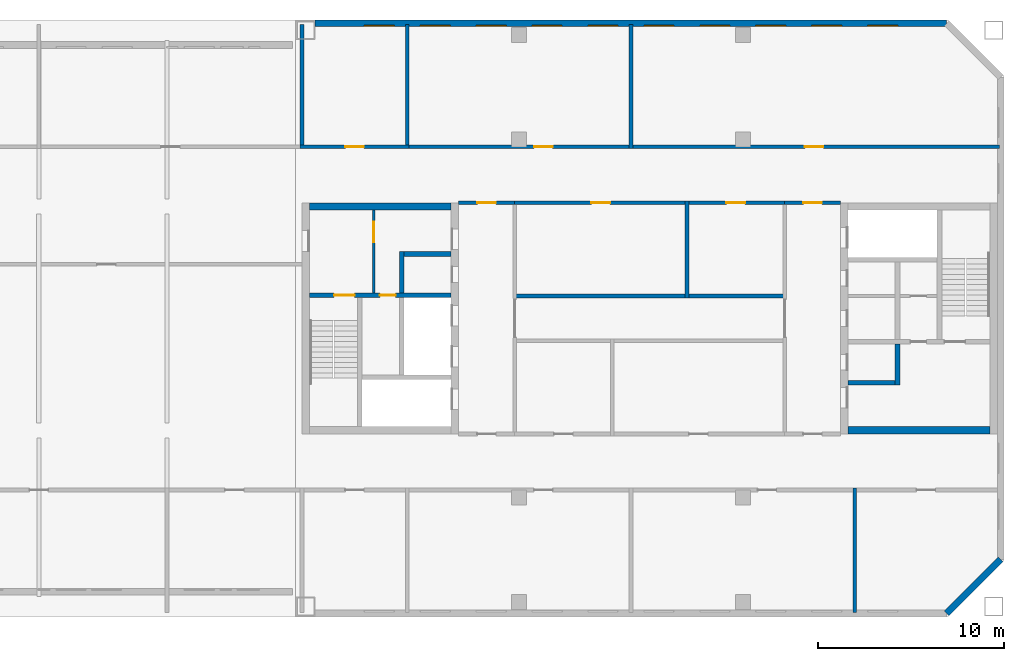
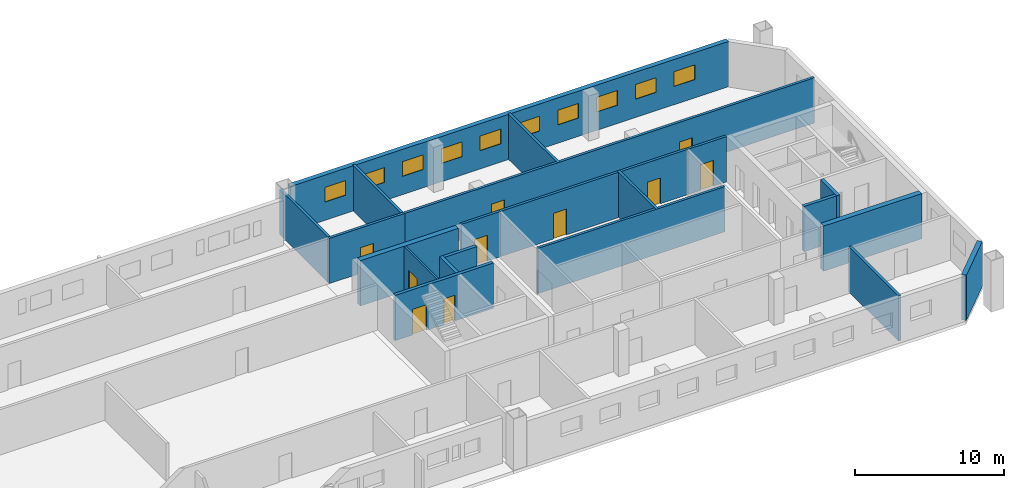
# One storey, part 10 of 13: 21 walls, 10 doors, 10 windows, 20 openings.
"""IFC4 building model written with IfcOpenShell, lengths in metres."""

from ifc_helpers import new_model, si_unit, direction, frame, frame_2d, origin, place, context, subcontext, project, spatial, rectangle, extrude, material, layer, layer_set, type_object, element, fill, save


model = new_model("IFC4")

# Units and contexts
model_context = context("Model", 3, precision=1e-05, world=origin(), true_north=direction((0.0, 1.0)))
body_context = subcontext(model_context, "Body", "Model", "MODEL_VIEW")
ifc_project = project(units=[si_unit("LENGTHUNIT", "METRE"), si_unit("AREAUNIT", "SQUARE_METRE"), si_unit("VOLUMEUNIT", "CUBIC_METRE"), si_unit("PLANEANGLEUNIT", "RADIAN"), si_unit("MASSUNIT", "GRAM", prefix="KILO")], contexts=[model_context])

# Site, building, storey
site_placement = place(None, origin())
site = spatial("IfcSite", under=ifc_project, at=site_placement, CompositionType="ELEMENT")
building_placement = place(site_placement, origin())
building = spatial("IfcBuilding", under=site, at=building_placement, Name="Tuart Gate Housing", CompositionType="ELEMENT")
storey_placement = place(building_placement, frame((0.0, 0.0, 198.60009765625)))
storey = spatial("IfcBuildingStorey", under=building, at=storey_placement, Name="L56", CompositionType="ELEMENT", Elevation=198.60009765625)

# Wall
ifc_material_1 = material(Name="Brick", Category="masonry")
ifc_layer_1 = layer(ifc_material_1, 0.360107421875)
ifc_layer_set_1 = layer_set([ifc_layer_1], Name="Brick pier and spandrel wall 360")
wall_type_1 = type_object("IfcWallType", Name="Brick pier and spandrel wall 360", PredefinedType="STANDARD", material=ifc_layer_set_1)
wall_1_placement = place(storey_placement, frame((165.92529296875, 54.179931640625, 0.0), z_axis=(0.0, 0.0, 1.0), x_axis=(0.707106781187, 0.707106781187, 0.0)))
element("IfcWall", 1, at=wall_1_placement, inside=storey, type_object=wall_type_1, Name="External wall BLK-SE L56", PredefinedType="STANDARD", context=body_context, shape_type="SweptSolid", body=[
    extrude(rectangle(XDim=4.09375, YDim=0.360107421875, at=frame_2d((2.046875, 0.0))), origin(), (0.0, 0.0, 1.0), 3.699951171875),
])

# Wall, openings, windows
wall_2_placement = place(storey_placement, frame((165.92529296875, 85.820068359375, 0.0), z_axis=(0.0, 0.0, 1.0), x_axis=(-1.0, 0.0, 0.0)))
wall_2 = element("IfcWall", 2, at=wall_2_placement, inside=storey, type_object=wall_type_1, Name="External wall BLK-N L56", PredefinedType="STANDARD", context=body_context, shape_type="SweptSolid", body=[
    extrude(rectangle(XDim=33.875244140625, YDim=0.360107421875, at=frame_2d((16.9375, 0.0))), origin(), (0.0, 0.0, 1.0), 3.699951171875),
])
opening_1_placement = place(wall_2_placement, frame((2.62548828125, 0.0, 1.5)))
opening_1 = element("IfcOpeningElement", 3, at=opening_1_placement, cuts=wall_2, Name="Opening W3", PredefinedType="OPENING", context=body_context, shape_type="SweptSolid", body=[
    extrude(rectangle(XDim=1.60009765625, YDim=1.199951171875, at=frame_2d((0.800048828125, 0.60009765625))), frame((0.0, 0.18994140625, 0.0), z_axis=(0.0, -1.0, 0.0), x_axis=(1.0, 0.0, 0.0)), (0.0, 0.0, 1.0), 0.380126953125),
])
opening_2_placement = place(wall_2_placement, frame((5.62548828125, 0.0, 1.5)))
opening_2 = element("IfcOpeningElement", 4, at=opening_2_placement, cuts=wall_2, Name="Opening W3", PredefinedType="OPENING", context=body_context, shape_type="SweptSolid", body=[
    extrude(rectangle(XDim=1.60009765625, YDim=1.199951171875, at=frame_2d((0.800048828125, 0.60009765625))), frame((0.0, 0.18994140625, 0.0), z_axis=(0.0, -1.0, 0.0), x_axis=(1.0, 0.0, 0.0)), (0.0, 0.0, 1.0), 0.380126953125),
])
opening_3_placement = place(wall_2_placement, frame((8.62548828125, 0.0, 1.5)))
opening_3 = element("IfcOpeningElement", 5, at=opening_3_placement, cuts=wall_2, Name="Opening W3", PredefinedType="OPENING", context=body_context, shape_type="SweptSolid", body=[
    extrude(rectangle(XDim=1.60009765625, YDim=1.199951171875, at=frame_2d((0.800048828125, 0.60009765625))), frame((0.0, 0.18994140625, 0.0), z_axis=(0.0, -1.0, 0.0), x_axis=(1.0, 0.0, 0.0)), (0.0, 0.0, 1.0), 0.380126953125),
])
opening_4_placement = place(wall_2_placement, frame((11.62548828125, 0.0, 1.5)))
opening_4 = element("IfcOpeningElement", 6, at=opening_4_placement, cuts=wall_2, Name="Opening W3", PredefinedType="OPENING", context=body_context, shape_type="SweptSolid", body=[
    extrude(rectangle(XDim=1.60009765625, YDim=1.199951171875, at=frame_2d((0.800048828125, 0.60009765625))), frame((0.0, 0.18994140625, 0.0), z_axis=(0.0, -1.0, 0.0), x_axis=(1.0, 0.0, 0.0)), (0.0, 0.0, 1.0), 0.380126953125),
])
opening_5_placement = place(wall_2_placement, frame((14.62548828125, 0.0, 1.5)))
opening_5 = element("IfcOpeningElement", 7, at=opening_5_placement, cuts=wall_2, Name="Opening W3", PredefinedType="OPENING", context=body_context, shape_type="SweptSolid", body=[
    extrude(rectangle(XDim=1.60009765625, YDim=1.199951171875, at=frame_2d((0.800048828125, 0.60009765625))), frame((0.0, 0.18994140625, 0.0), z_axis=(0.0, -1.0, 0.0), x_axis=(1.0, 0.0, 0.0)), (0.0, 0.0, 1.0), 0.380126953125),
])
opening_6_placement = place(wall_2_placement, frame((17.62548828125, 0.0, 1.5)))
opening_6 = element("IfcOpeningElement", 8, at=opening_6_placement, cuts=wall_2, Name="Opening W3", PredefinedType="OPENING", context=body_context, shape_type="SweptSolid", body=[
    extrude(rectangle(XDim=1.60009765625, YDim=1.199951171875, at=frame_2d((0.800048828125, 0.60009765625))), frame((0.0, 0.18994140625, 0.0), z_axis=(0.0, -1.0, 0.0), x_axis=(1.0, 0.0, 0.0)), (0.0, 0.0, 1.0), 0.380126953125),
])
opening_7_placement = place(wall_2_placement, frame((20.62548828125, 0.0, 1.5)))
opening_7 = element("IfcOpeningElement", 9, at=opening_7_placement, cuts=wall_2, Name="Opening W3", PredefinedType="OPENING", context=body_context, shape_type="SweptSolid", body=[
    extrude(rectangle(XDim=1.60009765625, YDim=1.199951171875, at=frame_2d((0.800048828125, 0.60009765625))), frame((0.0, 0.18994140625, 0.0), z_axis=(0.0, -1.0, 0.0), x_axis=(1.0, 0.0, 0.0)), (0.0, 0.0, 1.0), 0.380126953125),
])
opening_8_placement = place(wall_2_placement, frame((23.62548828125, 0.0, 1.5)))
opening_8 = element("IfcOpeningElement", 10, at=opening_8_placement, cuts=wall_2, Name="Opening W3", PredefinedType="OPENING", context=body_context, shape_type="SweptSolid", body=[
    extrude(rectangle(XDim=1.60009765625, YDim=1.199951171875, at=frame_2d((0.800048828125, 0.60009765625))), frame((0.0, 0.18994140625, 0.0), z_axis=(0.0, -1.0, 0.0), x_axis=(1.0, 0.0, 0.0)), (0.0, 0.0, 1.0), 0.380126953125),
])
opening_9_placement = place(wall_2_placement, frame((26.62548828125, 0.0, 1.5)))
opening_9 = element("IfcOpeningElement", 11, at=opening_9_placement, cuts=wall_2, Name="Opening W3", PredefinedType="OPENING", context=body_context, shape_type="SweptSolid", body=[
    extrude(rectangle(XDim=1.60009765625, YDim=1.199951171875, at=frame_2d((0.800048828125, 0.60009765625))), frame((0.0, 0.18994140625, 0.0), z_axis=(0.0, -1.0, 0.0), x_axis=(1.0, 0.0, 0.0)), (0.0, 0.0, 1.0), 0.380126953125),
])
opening_10_placement = place(wall_2_placement, frame((29.62548828125, 0.0, 1.5)))
opening_10 = element("IfcOpeningElement", 12, at=opening_10_placement, cuts=wall_2, Name="Opening W3", PredefinedType="OPENING", context=body_context, shape_type="SweptSolid", body=[
    extrude(rectangle(XDim=1.60009765625, YDim=1.199951171875, at=frame_2d((0.800048828125, 0.60009765625))), frame((0.0, 0.18994140625, 0.0), z_axis=(0.0, -1.0, 0.0), x_axis=(1.0, 0.0, 0.0)), (0.0, 0.0, 1.0), 0.380126953125),
])
ifc_material_2 = material(Name="Aluminium louvre blades", Category="aluminium")
window_type = type_object("IfcWindowType", Name="Louvre window 1600 x 1200", PartitioningType="DOUBLE_PANEL_HORIZONTAL", PredefinedType="WINDOW", material=ifc_material_2)
window_1_placement = place(opening_1_placement, origin())
window_1 = element("IfcWindow", 13, at=window_1_placement, inside=storey, type_object=window_type, Name="Louvre W3", OverallHeight=1.199951171875, OverallWidth=1.60009765625, PartitioningType="DOUBLE_PANEL_HORIZONTAL", PredefinedType="WINDOW", context=body_context, shape_type="SweptSolid", body=[
    extrude(rectangle(XDim=1.60009765625, YDim=1.199951171875, at=frame_2d((0.800048828125, 0.60009765625))), frame((0.0, 0.150146484375, 0.0), z_axis=(0.0, -1.0, 0.0), x_axis=(1.0, 0.0, 0.0)), (0.0, 0.0, 1.0), 0.06005859375),
])
fill(opening_1, window_1)
window_2_placement = place(opening_2_placement, origin())
window_2 = element("IfcWindow", 14, at=window_2_placement, inside=storey, type_object=window_type, Name="Louvre W3", OverallHeight=1.199951171875, OverallWidth=1.60009765625, PartitioningType="DOUBLE_PANEL_HORIZONTAL", PredefinedType="WINDOW", context=body_context, shape_type="SweptSolid", body=[
    extrude(rectangle(XDim=1.60009765625, YDim=1.199951171875, at=frame_2d((0.800048828125, 0.60009765625))), frame((0.0, 0.150146484375, 0.0), z_axis=(0.0, -1.0, 0.0), x_axis=(1.0, 0.0, 0.0)), (0.0, 0.0, 1.0), 0.06005859375),
])
fill(opening_2, window_2)
window_3_placement = place(opening_3_placement, origin())
window_3 = element("IfcWindow", 15, at=window_3_placement, inside=storey, type_object=window_type, Name="Louvre W3", OverallHeight=1.199951171875, OverallWidth=1.60009765625, PartitioningType="DOUBLE_PANEL_HORIZONTAL", PredefinedType="WINDOW", context=body_context, shape_type="SweptSolid", body=[
    extrude(rectangle(XDim=1.60009765625, YDim=1.199951171875, at=frame_2d((0.800048828125, 0.60009765625))), frame((0.0, 0.150146484375, 0.0), z_axis=(0.0, -1.0, 0.0), x_axis=(1.0, 0.0, 0.0)), (0.0, 0.0, 1.0), 0.06005859375),
])
fill(opening_3, window_3)
window_4_placement = place(opening_4_placement, origin())
window_4 = element("IfcWindow", 16, at=window_4_placement, inside=storey, type_object=window_type, Name="Louvre W3", OverallHeight=1.199951171875, OverallWidth=1.60009765625, PartitioningType="DOUBLE_PANEL_HORIZONTAL", PredefinedType="WINDOW", context=body_context, shape_type="SweptSolid", body=[
    extrude(rectangle(XDim=1.60009765625, YDim=1.199951171875, at=frame_2d((0.800048828125, 0.60009765625))), frame((0.0, 0.150146484375, 0.0), z_axis=(0.0, -1.0, 0.0), x_axis=(1.0, 0.0, 0.0)), (0.0, 0.0, 1.0), 0.06005859375),
])
fill(opening_4, window_4)
window_5_placement = place(opening_5_placement, origin())
window_5 = element("IfcWindow", 17, at=window_5_placement, inside=storey, type_object=window_type, Name="Louvre W3", OverallHeight=1.199951171875, OverallWidth=1.60009765625, PartitioningType="DOUBLE_PANEL_HORIZONTAL", PredefinedType="WINDOW", context=body_context, shape_type="SweptSolid", body=[
    extrude(rectangle(XDim=1.60009765625, YDim=1.199951171875, at=frame_2d((0.800048828125, 0.60009765625))), frame((0.0, 0.150146484375, 0.0), z_axis=(0.0, -1.0, 0.0), x_axis=(1.0, 0.0, 0.0)), (0.0, 0.0, 1.0), 0.06005859375),
])
fill(opening_5, window_5)
window_6_placement = place(opening_6_placement, origin())
window_6 = element("IfcWindow", 18, at=window_6_placement, inside=storey, type_object=window_type, Name="Louvre W3", OverallHeight=1.199951171875, OverallWidth=1.60009765625, PartitioningType="DOUBLE_PANEL_HORIZONTAL", PredefinedType="WINDOW", context=body_context, shape_type="SweptSolid", body=[
    extrude(rectangle(XDim=1.60009765625, YDim=1.199951171875, at=frame_2d((0.800048828125, 0.60009765625))), frame((0.0, 0.150146484375, 0.0), z_axis=(0.0, -1.0, 0.0), x_axis=(1.0, 0.0, 0.0)), (0.0, 0.0, 1.0), 0.06005859375),
])
fill(opening_6, window_6)
window_7_placement = place(opening_7_placement, origin())
window_7 = element("IfcWindow", 19, at=window_7_placement, inside=storey, type_object=window_type, Name="Louvre W3", OverallHeight=1.199951171875, OverallWidth=1.60009765625, PartitioningType="DOUBLE_PANEL_HORIZONTAL", PredefinedType="WINDOW", context=body_context, shape_type="SweptSolid", body=[
    extrude(rectangle(XDim=1.60009765625, YDim=1.199951171875, at=frame_2d((0.800048828125, 0.60009765625))), frame((0.0, 0.150146484375, 0.0), z_axis=(0.0, -1.0, 0.0), x_axis=(1.0, 0.0, 0.0)), (0.0, 0.0, 1.0), 0.06005859375),
])
fill(opening_7, window_7)
window_8_placement = place(opening_8_placement, origin())
window_8 = element("IfcWindow", 20, at=window_8_placement, inside=storey, type_object=window_type, Name="Louvre W3", OverallHeight=1.199951171875, OverallWidth=1.60009765625, PartitioningType="DOUBLE_PANEL_HORIZONTAL", PredefinedType="WINDOW", context=body_context, shape_type="SweptSolid", body=[
    extrude(rectangle(XDim=1.60009765625, YDim=1.199951171875, at=frame_2d((0.800048828125, 0.60009765625))), frame((0.0, 0.150146484375, 0.0), z_axis=(0.0, -1.0, 0.0), x_axis=(1.0, 0.0, 0.0)), (0.0, 0.0, 1.0), 0.06005859375),
])
fill(opening_8, window_8)
window_9_placement = place(opening_9_placement, origin())
window_9 = element("IfcWindow", 21, at=window_9_placement, inside=storey, type_object=window_type, Name="Louvre W3", OverallHeight=1.199951171875, OverallWidth=1.60009765625, PartitioningType="DOUBLE_PANEL_HORIZONTAL", PredefinedType="WINDOW", context=body_context, shape_type="SweptSolid", body=[
    extrude(rectangle(XDim=1.60009765625, YDim=1.199951171875, at=frame_2d((0.800048828125, 0.60009765625))), frame((0.0, 0.150146484375, 0.0), z_axis=(0.0, -1.0, 0.0), x_axis=(1.0, 0.0, 0.0)), (0.0, 0.0, 1.0), 0.06005859375),
])
fill(opening_9, window_9)
window_10_placement = place(opening_10_placement, origin())
window_10 = element("IfcWindow", 22, at=window_10_placement, inside=storey, type_object=window_type, Name="Louvre W3", OverallHeight=1.199951171875, OverallWidth=1.60009765625, PartitioningType="DOUBLE_PANEL_HORIZONTAL", PredefinedType="WINDOW", context=body_context, shape_type="SweptSolid", body=[
    extrude(rectangle(XDim=1.60009765625, YDim=1.199951171875, at=frame_2d((0.800048828125, 0.60009765625))), frame((0.0, 0.150146484375, 0.0), z_axis=(0.0, -1.0, 0.0), x_axis=(1.0, 0.0, 0.0)), (0.0, 0.0, 1.0), 0.06005859375),
])
fill(opening_10, window_10)

# Wall, opening, door
ifc_material_3 = material(Name="Plasterboard partition")
ifc_layer_2 = layer(ifc_material_3, 0.14990234375)
ifc_layer_set_2 = layer_set([ifc_layer_2], Name="Core partition 150")
wall_type_2 = type_object("IfcWallType", Name="Core partition 150", PredefinedType="PARTITIONING", material=ifc_layer_set_2)
wall_3_placement = place(storey_placement, frame((135.2099609375, 71.375, 0.0), z_axis=(0.0, 0.0, 1.0), x_axis=(0.0, 1.0, 0.0)))
wall_3 = element("IfcWall", 23, at=wall_3_placement, inside=storey, type_object=wall_type_2, Name="Core partition BG.6", PredefinedType="PARTITIONING", context=body_context, shape_type="SweptSolid", body=[
    extrude(rectangle(XDim=4.425048828125, YDim=0.14990234375, at=frame_2d((2.21240234375, 0.0))), origin(), (0.0, 0.0, 1.0), 3.699951171875),
])
opening_11_placement = place(wall_3_placement, frame((2.699951171875, 0.0, 0.0)))
opening_11 = element("IfcOpeningElement", 24, at=opening_11_placement, cuts=wall_3, Name="Opening D3617", PredefinedType="OPENING", context=body_context, shape_type="SweptSolid", body=[
    extrude(rectangle(XDim=1.10009765625, YDim=2.10009765625, at=frame_2d((0.550048828125, 1.050048828125))), frame((0.0, 0.0849609375, 0.0), z_axis=(0.0, -1.0, 0.0), x_axis=(1.0, 0.0, 0.0)), (0.0, 0.0, 1.0), 0.169921875),
])
ifc_material_4 = material(Name="Steel fire door", Category="steel")
door_type_1 = type_object("IfcDoorType", Name="Lobby door 1100 x 2100 RH", OperationType="SINGLE_SWING_RIGHT", PredefinedType="DOOR", material=ifc_material_4)
door_1_placement = place(opening_11_placement, origin())
door_1 = element("IfcDoor", 25, at=door_1_placement, inside=storey, type_object=door_type_1, Name="Smoke lobby door BG.KD", OperationType="SINGLE_SWING_RIGHT", OverallHeight=2.10009765625, OverallWidth=1.10009765625, PredefinedType="DOOR", context=body_context, shape_type="SweptSolid", body=[
    extrude(rectangle(XDim=1.10009765625, YDim=2.10009765625, at=frame_2d((0.550048828125, 1.050048828125))), frame((0.0, 0.02490234375, 0.0), z_axis=(0.0, -1.0, 0.0), x_axis=(1.0, 0.0, 0.0)), (0.0, 0.0, 1.0), 0.050048828125),
])
fill(opening_11, door_1)

# Wall, openings, doors
ifc_material_5 = material(Name="Concrete C40", Category="concrete")
ifc_layer_3 = layer(ifc_material_5, 0.25)
ifc_layer_set_3 = layer_set([ifc_layer_3], Name="Core wall 250 C40")
wall_type_3 = type_object("IfcWallType", Name="Core wall 250 C40", PredefinedType="SHEAR", material=ifc_layer_set_3)
wall_4_placement = place(storey_placement, frame((139.360107421875, 71.25, 0.0), z_axis=(0.0, 0.0, 1.0), x_axis=(-1.0, 0.0, 0.0)))
wall_4 = element("IfcWall", 26, at=wall_4_placement, inside=storey, type_object=wall_type_3, Name="Core wall BG.2", PredefinedType="SHEAR", context=body_context, shape_type="SweptSolid", body=[
    extrude(rectangle(XDim=7.60009765625, YDim=0.25, at=frame_2d((3.800048828125, 0.0))), origin(), (0.0, 0.0, 1.0), 3.699951171875),
])
opening_12_placement = place(wall_4_placement, frame((5.175048828125, 0.0, 0.0)))
opening_12 = element("IfcOpeningElement", 27, at=opening_12_placement, cuts=wall_4, Name="Opening D3619", PredefinedType="OPENING", context=body_context, shape_type="SweptSolid", body=[
    extrude(rectangle(XDim=1.10009765625, YDim=2.10009765625, at=frame_2d((0.550048828125, 1.050048828125))), frame((0.0, 0.135009765625, 0.0), z_axis=(0.0, -1.0, 0.0), x_axis=(1.0, 0.0, 0.0)), (0.0, 0.0, 1.0), 0.27001953125),
])
opening_13_placement = place(wall_4_placement, frame((2.97509765625, 0.0, 0.0)))
opening_13 = element("IfcOpeningElement", 28, at=opening_13_placement, cuts=wall_4, Name="Opening D3618", PredefinedType="OPENING", context=body_context, shape_type="SweptSolid", body=[
    extrude(rectangle(XDim=0.85009765625, YDim=2.10009765625, at=frame_2d((0.425048828125, 1.050048828125))), frame((0.0, 0.135009765625, 0.0), z_axis=(0.0, -1.0, 0.0), x_axis=(1.0, 0.0, 0.0)), (0.0, 0.0, 1.0), 0.27001953125),
])
ifc_material_6 = material(Name="Steel fire door", Category="steel")
door_type_2 = type_object("IfcDoorType", Name="Riser door 850 x 2100", OperationType="SINGLE_SWING_LEFT", PredefinedType="DOOR", material=ifc_material_6)
door_2_placement = place(opening_13_placement, origin())
door_2 = element("IfcDoor", 29, at=door_2_placement, inside=storey, type_object=door_type_2, Name="Service room door BG.W1", OperationType="SINGLE_SWING_LEFT", OverallHeight=2.10009765625, OverallWidth=0.85009765625, PredefinedType="DOOR", context=body_context, shape_type="SweptSolid", body=[
    extrude(rectangle(XDim=0.85009765625, YDim=2.10009765625, at=frame_2d((0.425048828125, 1.050048828125))), frame((0.0, 0.02490234375, 0.0), z_axis=(0.0, -1.0, 0.0), x_axis=(1.0, 0.0, 0.0)), (0.0, 0.0, 1.0), 0.050048828125),
])
fill(opening_13, door_2)
ifc_material_7 = material(Name="Steel fire door", Category="steel")
door_type_3 = type_object("IfcDoorType", Name="Stair door 1100 x 2100", OperationType="SINGLE_SWING_LEFT", PredefinedType="DOOR", material=ifc_material_7)
door_3_placement = place(opening_12_placement, origin())
door_3 = element("IfcDoor", 30, at=door_3_placement, inside=storey, type_object=door_type_3, Name="Stair door BG.SD", OperationType="SINGLE_SWING_LEFT", OverallHeight=2.10009765625, OverallWidth=1.10009765625, PredefinedType="DOOR", context=body_context, shape_type="SweptSolid", body=[
    extrude(rectangle(XDim=1.10009765625, YDim=2.10009765625, at=frame_2d((0.550048828125, 1.050048828125))), frame((0.0, 0.02490234375, 0.0), z_axis=(0.0, -1.0, 0.0), x_axis=(1.0, 0.0, 0.0)), (0.0, 0.0, 1.0), 0.050048828125),
])
fill(opening_12, door_3)

# Walls
wall_5_placement = place(storey_placement, frame((139.360107421875, 73.449951171875, 0.0), z_axis=(0.0, 0.0, 1.0), x_axis=(-1.0, 0.0, 0.0)))
element("IfcWall", 31, at=wall_5_placement, inside=storey, type_object=wall_type_3, Name="Core wall BG.3", PredefinedType="SHEAR", context=body_context, shape_type="SweptSolid", body=[
    extrude(rectangle(XDim=2.525146484375, YDim=0.25, at=frame_2d((1.2626953125, 0.0))), origin(), (0.0, 0.0, 1.0), 3.699951171875),
])
wall_6_placement = place(storey_placement, frame((136.7099609375, 71.375, 0.0), z_axis=(0.0, 0.0, 1.0), x_axis=(0.0, 1.0, 0.0)))
element("IfcWall", 32, at=wall_6_placement, inside=storey, type_object=wall_type_3, Name="Core wall BG.5", PredefinedType="SHEAR", context=body_context, shape_type="SweptSolid", body=[
    extrude(rectangle(XDim=2.199951171875, YDim=0.25, at=frame_2d((1.10009765625, 0.0))), origin(), (0.0, 0.0, 1.0), 3.699951171875),
])
wall_7_placement = place(storey_placement, frame((160.639892578125, 66.550048828125, 0.0), z_axis=(0.0, 0.0, 1.0), x_axis=(1.0, 0.0, 0.0)))
element("IfcWall", 33, at=wall_7_placement, inside=storey, type_object=wall_type_3, Name="Core wall BK.5", PredefinedType="SHEAR", context=body_context, shape_type="SweptSolid", body=[
    extrude(rectangle(XDim=2.525146484375, YDim=0.25, at=frame_2d((1.2626953125, 0.0))), origin(), (0.0, 0.0, 1.0), 3.699951171875),
])
wall_8_placement = place(storey_placement, frame((163.2900390625, 68.625, 0.0), z_axis=(0.0, 0.0, 1.0), x_axis=(0.0, -1.0, 0.0)))
element("IfcWall", 34, at=wall_8_placement, inside=storey, type_object=wall_type_3, Name="Core wall BK.7", PredefinedType="SHEAR", context=body_context, shape_type="SweptSolid", body=[
    extrude(rectangle(XDim=2.199951171875, YDim=0.25, at=frame_2d((1.10009765625, 0.0))), origin(), (0.0, 0.0, 1.0), 3.699951171875),
])
ifc_material_8 = material(Name="Concrete C40", Category="concrete")
ifc_layer_4 = layer(ifc_material_8, 0.39990234375)
ifc_layer_set_4 = layer_set([ifc_layer_4], Name="Core wall 400 C40")
wall_type_4 = type_object("IfcWallType", Name="Core wall 400 C40", PredefinedType="SHEAR", material=ifc_layer_set_4)
for number, where, z_axis, x_axis, name in (
    (35, (139.360107421875, 76.0, 0.0), (0.0, 0.0, 1.0), (-1.0, 0.0, 0.0), "Core wall BG north"),
    (36, (160.639892578125, 64.0, 0.0), (0.0, 0.0, 1.0), (1.0, 0.0, 0.0), "Core wall BK north"),
):
    element("IfcWall", number, at=place(storey_placement, frame(where, z_axis=z_axis, x_axis=x_axis)), inside=storey, type_object=wall_type_4, Name=name, PredefinedType="SHEAR", context=body_context, shape_type="SweptSolid", body=[
        extrude(rectangle(XDim=7.60009765625, YDim=0.39990234375, at=frame_2d((3.800048828125, 0.0))), origin(), (0.0, 0.0, 1.0), 3.699951171875),
    ])

# Wall, opening, door
ifc_material_9 = material(Name="Concrete masonry 15 MPa", Category="masonry")
ifc_layer_5 = layer(ifc_material_9, 0.199951171875)
ifc_layer_set_5 = layer_set([ifc_layer_5], Name="Corridor wall masonry 200")
wall_type_5 = type_object("IfcWallType", Name="Corridor wall masonry 200", PredefinedType="PARTITIONING", material=ifc_layer_set_5)
wall_9_placement = place(storey_placement, frame((131.260009765625, 79.199951171875, 0.0), z_axis=(0.0, 0.0, 1.0), x_axis=(1.0, 0.0, 0.0)))
wall_9 = element("IfcWall", 37, at=wall_9_placement, inside=storey, type_object=wall_type_5, Name="Corridor wall masonry 200", PredefinedType="PARTITIONING", context=body_context, shape_type="SweptSolid", body=[
    extrude(rectangle(XDim=5.840087890625, YDim=0.199951171875, at=frame_2d((2.919921875, 0.0))), origin(), (0.0, 0.0, 1.0), 3.699951171875),
])
opening_14_placement = place(wall_9_placement, frame((2.419921875, 0.0, 0.0)))
opening_14 = element("IfcOpeningElement", 38, at=opening_14_placement, cuts=wall_9, Name="Opening D3610", PredefinedType="OPENING", context=body_context, shape_type="SweptSolid", body=[
    extrude(rectangle(XDim=1.0, YDim=2.10009765625, at=frame_2d((0.5, 1.050048828125))), frame((0.0, 0.10986328125, 0.0), z_axis=(0.0, -1.0, 0.0), x_axis=(1.0, 0.0, 0.0)), (0.0, 0.0, 1.0), 0.219970703125),
])
ifc_material_10 = material(Name="Timber door leaf in steel frame", Category="steel")
door_type_4 = type_object("IfcDoorType", Name="Fire door 1000", OperationType="SINGLE_SWING_LEFT", PredefinedType="DOOR", material=ifc_material_10)
door_4_placement = place(opening_14_placement, origin())
door_4 = element("IfcDoor", 39, at=door_4_placement, inside=storey, type_object=door_type_4, Name="Fire door 1000", OperationType="SINGLE_SWING_LEFT", OverallHeight=2.10009765625, OverallWidth=1.0, PredefinedType="DOOR", context=body_context, shape_type="SweptSolid", body=[
    extrude(rectangle(XDim=1.0, YDim=2.10009765625, at=frame_2d((0.5, 1.050048828125))), frame((0.0, 0.02490234375, 0.0), z_axis=(0.0, -1.0, 0.0), x_axis=(1.0, 0.0, 0.0)), (0.0, 0.0, 1.0), 0.050048828125),
])
fill(opening_14, door_4)

# Wall
ifc_material_11 = material(Name="Concrete masonry 15 MPa", Category="masonry")
ifc_layer_6 = layer(ifc_material_11, 0.199951171875)
ifc_layer_set_6 = layer_set([ifc_layer_6], Name="Enclosure wall masonry 200")
wall_type_6 = type_object("IfcWallType", Name="Enclosure wall masonry 200", PredefinedType="PARTITIONING", material=ifc_layer_set_6)
wall_10_placement = place(storey_placement, frame((142.760009765625, 71.199951171875, 0.0), z_axis=(0.0, 0.0, 1.0), x_axis=(1.0, 0.0, 0.0)))
element("IfcWall", 40, at=wall_10_placement, inside=storey, type_object=wall_type_6, Name="Enclosure wall masonry 200", PredefinedType="PARTITIONING", context=body_context, shape_type="SweptSolid", body=[
    extrude(rectangle(XDim=14.47998046875, YDim=0.199951171875, at=frame_2d((7.239990234375, 0.0))), origin(), (0.0, 0.0, 1.0), 3.699951171875),
])

# Wall, openings, doors
wall_11_placement = place(storey_placement, frame((142.760009765625, 76.199951171875, 0.0), z_axis=(0.0, 0.0, 1.0), x_axis=(1.0, 0.0, 0.0)))
wall_11 = element("IfcWall", 41, at=wall_11_placement, inside=storey, type_object=wall_type_6, Name="Enclosure wall masonry 200", PredefinedType="PARTITIONING", context=body_context, shape_type="SweptSolid", body=[
    extrude(rectangle(XDim=14.47998046875, YDim=0.199951171875, at=frame_2d((7.239990234375, 0.0))), origin(), (0.0, 0.0, 1.0), 3.699951171875),
])
opening_15_placement = place(wall_11_placement, frame((4.1201171875, 0.0, 0.0)))
opening_15 = element("IfcOpeningElement", 42, at=opening_15_placement, cuts=wall_11, Name="Opening D3614", PredefinedType="OPENING", context=body_context, shape_type="SweptSolid", body=[
    extrude(rectangle(XDim=1.0, YDim=2.10009765625, at=frame_2d((0.5, 1.050048828125))), frame((0.0, 0.10986328125, 0.0), z_axis=(0.0, -1.0, 0.0), x_axis=(1.0, 0.0, 0.0)), (0.0, 0.0, 1.0), 0.219970703125),
])
opening_16_placement = place(wall_11_placement, frame((11.360107421875, 0.0, 0.0)))
opening_16 = element("IfcOpeningElement", 43, at=opening_16_placement, cuts=wall_11, Name="Opening D3615", PredefinedType="OPENING", context=body_context, shape_type="SweptSolid", body=[
    extrude(rectangle(XDim=1.0, YDim=2.10009765625, at=frame_2d((0.5, 1.050048828125))), frame((0.0, 0.10986328125, 0.0), z_axis=(0.0, -1.0, 0.0), x_axis=(1.0, 0.0, 0.0)), (0.0, 0.0, 1.0), 0.219970703125),
])
ifc_material_12 = material(Name="Timber door leaf in steel frame", Category="steel")
door_type_5 = type_object("IfcDoorType", Name="Fire door 1000 RH", OperationType="SINGLE_SWING_RIGHT", PredefinedType="DOOR", material=ifc_material_12)
door_5_placement = place(opening_15_placement, frame((1.0, 0.0, 0.0), z_axis=(0.0, 0.0, 1.0), x_axis=(-1.0, 0.0, 0.0)))
door_5 = element("IfcDoor", 44, at=door_5_placement, inside=storey, type_object=door_type_5, Name="Fire door 1000", OperationType="SINGLE_SWING_RIGHT", OverallHeight=2.10009765625, OverallWidth=1.0, PredefinedType="DOOR", context=body_context, shape_type="SweptSolid", body=[
    extrude(rectangle(XDim=1.0, YDim=2.10009765625, at=frame_2d((0.5, 1.050048828125))), frame((0.0, 0.025146484375, 0.0), z_axis=(0.0, -1.0, 0.0), x_axis=(1.0, 0.0, 0.0)), (0.0, 0.0, 1.0), 0.050048828125),
])
fill(opening_15, door_5)
door_6_placement = place(opening_16_placement, frame((1.0, 0.0, 0.0), z_axis=(0.0, 0.0, 1.0), x_axis=(-1.0, 0.0, 0.0)))
door_6 = element("IfcDoor", 45, at=door_6_placement, inside=storey, type_object=door_type_5, Name="Fire door 1000", OperationType="SINGLE_SWING_RIGHT", OverallHeight=2.10009765625, OverallWidth=1.0, PredefinedType="DOOR", context=body_context, shape_type="SweptSolid", body=[
    extrude(rectangle(XDim=1.0, YDim=2.10009765625, at=frame_2d((0.5, 1.050048828125))), frame((0.0, 0.025146484375, 0.0), z_axis=(0.0, -1.0, 0.0), x_axis=(1.0, 0.0, 0.0)), (0.0, 0.0, 1.0), 0.050048828125),
])
fill(opening_16, door_6)

# Wall, opening, door
wall_12_placement = place(storey_placement, frame((139.760009765625, 76.199951171875, 0.0), z_axis=(0.0, 0.0, 1.0), x_axis=(1.0, 0.0, 0.0)))
wall_12 = element("IfcWall", 46, at=wall_12_placement, inside=storey, type_object=wall_type_6, Name="Enclosure wall masonry 200", PredefinedType="PARTITIONING", context=body_context, shape_type="SweptSolid", body=[
    extrude(rectangle(XDim=3.0, YDim=0.199951171875, at=frame_2d((1.5, 0.0))), origin(), (0.0, 0.0, 1.0), 3.699951171875),
])
opening_17_placement = place(wall_12_placement, frame((1.0, 0.0, 0.0)))
opening_17 = element("IfcOpeningElement", 47, at=opening_17_placement, cuts=wall_12, Name="Opening D3613", PredefinedType="OPENING", context=body_context, shape_type="SweptSolid", body=[
    extrude(rectangle(XDim=1.0, YDim=2.10009765625, at=frame_2d((0.5, 1.050048828125))), frame((0.0, 0.10986328125, 0.0), z_axis=(0.0, -1.0, 0.0), x_axis=(1.0, 0.0, 0.0)), (0.0, 0.0, 1.0), 0.219970703125),
])
ifc_material_13 = material(Name="Timber door leaf in steel frame", Category="steel")
door_type_6 = type_object("IfcDoorType", Name="Lobby door 1000", OperationType="SINGLE_SWING_LEFT", PredefinedType="DOOR", material=ifc_material_13)
door_7_placement = place(opening_17_placement, frame((1.0, 0.0, 0.0), z_axis=(0.0, 0.0, 1.0), x_axis=(-1.0, 0.0, 0.0)))
door_7 = element("IfcDoor", 48, at=door_7_placement, inside=storey, type_object=door_type_6, Name="Lobby door 1000", OperationType="SINGLE_SWING_LEFT", OverallHeight=2.10009765625, OverallWidth=1.0, PredefinedType="DOOR", context=body_context, shape_type="SweptSolid", body=[
    extrude(rectangle(XDim=1.0, YDim=2.10009765625, at=frame_2d((0.5, 1.050048828125))), frame((0.0, 0.025146484375, 0.0), z_axis=(0.0, -1.0, 0.0), x_axis=(1.0, 0.0, 0.0)), (0.0, 0.0, 1.0), 0.050048828125),
])
fill(opening_17, door_7)

wall_13_placement = place(storey_placement, frame((157.239990234375, 76.199951171875, 0.0), z_axis=(0.0, 0.0, 1.0), x_axis=(1.0, 0.0, 0.0)))
wall_13 = element("IfcWall", 49, at=wall_13_placement, inside=storey, type_object=wall_type_6, Name="Enclosure wall masonry 200", PredefinedType="PARTITIONING", context=body_context, shape_type="SweptSolid", body=[
    extrude(rectangle(XDim=3.0, YDim=0.199951171875, at=frame_2d((1.5, 0.0))), origin(), (0.0, 0.0, 1.0), 3.699951171875),
])
opening_18_placement = place(wall_13_placement, frame((1.0, 0.0, 0.0)))
opening_18 = element("IfcOpeningElement", 50, at=opening_18_placement, cuts=wall_13, Name="Opening D3616", PredefinedType="OPENING", context=body_context, shape_type="SweptSolid", body=[
    extrude(rectangle(XDim=1.0, YDim=2.10009765625, at=frame_2d((0.5, 1.050048828125))), frame((0.0, 0.10986328125, 0.0), z_axis=(0.0, -1.0, 0.0), x_axis=(1.0, 0.0, 0.0)), (0.0, 0.0, 1.0), 0.219970703125),
])
ifc_material_14 = material(Name="Timber door leaf in steel frame", Category="steel")
door_type_7 = type_object("IfcDoorType", Name="Lobby door 1000 RH", OperationType="SINGLE_SWING_RIGHT", PredefinedType="DOOR", material=ifc_material_14)
door_8_placement = place(opening_18_placement, frame((1.0, 0.0, 0.0), z_axis=(0.0, 0.0, 1.0), x_axis=(-1.0, 0.0, 0.0)))
door_8 = element("IfcDoor", 51, at=door_8_placement, inside=storey, type_object=door_type_7, Name="Lobby door 1000", OperationType="SINGLE_SWING_RIGHT", OverallHeight=2.10009765625, OverallWidth=1.0, PredefinedType="DOOR", context=body_context, shape_type="SweptSolid", body=[
    extrude(rectangle(XDim=1.0, YDim=2.10009765625, at=frame_2d((0.5, 1.050048828125))), frame((0.0, 0.025146484375, 0.0), z_axis=(0.0, -1.0, 0.0), x_axis=(1.0, 0.0, 0.0)), (0.0, 0.0, 1.0), 0.050048828125),
])
fill(opening_18, door_8)

# Wall, openings, doors
wall_14_placement = place(storey_placement, frame((136.89990234375, 79.199951171875, 0.0), z_axis=(0.0, 0.0, 1.0), x_axis=(1.0, 0.0, 0.0)))
wall_14 = element("IfcWall", 52, at=wall_14_placement, inside=storey, type_object=wall_type_6, Name="Enclosure wall masonry 200", PredefinedType="PARTITIONING", context=body_context, shape_type="SweptSolid", body=[
    extrude(rectangle(XDim=31.860107421875, YDim=0.199951171875, at=frame_2d((15.93017578125, 0.0))), origin(), (0.0, 0.0, 1.0), 3.699951171875),
])
opening_19_placement = place(wall_14_placement, frame((6.89990234375, 0.0, 0.0)))
opening_19 = element("IfcOpeningElement", 53, at=opening_19_placement, cuts=wall_14, Name="Opening D3611", PredefinedType="OPENING", context=body_context, shape_type="SweptSolid", body=[
    extrude(rectangle(XDim=1.0, YDim=2.10009765625, at=frame_2d((0.5, 1.050048828125))), frame((0.0, 0.10986328125, 0.0), z_axis=(0.0, -1.0, 0.0), x_axis=(1.0, 0.0, 0.0)), (0.0, 0.0, 1.0), 0.219970703125),
])
opening_20_placement = place(wall_14_placement, frame((21.419921875, 0.0, 0.0)))
opening_20 = element("IfcOpeningElement", 54, at=opening_20_placement, cuts=wall_14, Name="Opening D3612", PredefinedType="OPENING", context=body_context, shape_type="SweptSolid", body=[
    extrude(rectangle(XDim=1.0, YDim=2.10009765625, at=frame_2d((0.5, 1.050048828125))), frame((0.0, 0.10986328125, 0.0), z_axis=(0.0, -1.0, 0.0), x_axis=(1.0, 0.0, 0.0)), (0.0, 0.0, 1.0), 0.219970703125),
])
door_9_placement = place(opening_20_placement, origin())
door_9 = element("IfcDoor", 55, at=door_9_placement, inside=storey, type_object=door_type_4, Name="Fire door 1000", OperationType="SINGLE_SWING_LEFT", OverallHeight=2.10009765625, OverallWidth=1.0, PredefinedType="DOOR", context=body_context, shape_type="SweptSolid", body=[
    extrude(rectangle(XDim=1.0, YDim=2.10009765625, at=frame_2d((0.5, 1.050048828125))), frame((0.0, 0.02490234375, 0.0), z_axis=(0.0, -1.0, 0.0), x_axis=(1.0, 0.0, 0.0)), (0.0, 0.0, 1.0), 0.050048828125),
])
fill(opening_20, door_9)
door_10_placement = place(opening_19_placement, origin())
door_10 = element("IfcDoor", 56, at=door_10_placement, inside=storey, type_object=door_type_5, Name="Fire door 1000", OperationType="SINGLE_SWING_RIGHT", OverallHeight=2.10009765625, OverallWidth=1.0, PredefinedType="DOOR", context=body_context, shape_type="SweptSolid", body=[
    extrude(rectangle(XDim=1.0, YDim=2.10009765625, at=frame_2d((0.5, 1.050048828125))), frame((0.0, 0.02490234375, 0.0), z_axis=(0.0, -1.0, 0.0), x_axis=(1.0, 0.0, 0.0)), (0.0, 0.0, 1.0), 0.050048828125),
])
fill(opening_19, door_10)

# Walls
for number, where, z_axis, x_axis, name in (
    (57, (131.360107421875, 79.10009765625, 0.0), (0.0, 0.0, 1.0), (0.0, 1.0, 0.0), "Enclosure wall masonry 200"),
    (58, (137.0, 79.10009765625, 0.0), (0.0, 0.0, 1.0), (0.0, 1.0, 0.0), "Enclosure wall masonry 200"),
    (59, (149.0, 79.10009765625, 0.0), (0.0, 0.0, 1.0), (0.0, 1.0, 0.0), "Enclosure wall masonry 200"),
):
    element("IfcWall", number, at=place(storey_placement, frame(where, z_axis=z_axis, x_axis=x_axis)), inside=storey, type_object=wall_type_6, Name=name, PredefinedType="PARTITIONING", context=body_context, shape_type="SweptSolid", body=[
        extrude(rectangle(XDim=6.659912109375, YDim=0.199951171875, at=frame_2d((3.330078125, 0.0))), origin(), (0.0, 0.0, 1.0), 3.699951171875),
    ])
wall_15_placement = place(storey_placement, frame((152.0, 71.10009765625, 0.0), z_axis=(0.0, 0.0, 1.0), x_axis=(0.0, 1.0, 0.0)))
element("IfcWall", 60, at=wall_15_placement, inside=storey, type_object=wall_type_6, Name="Enclosure wall masonry 200", PredefinedType="PARTITIONING", context=body_context, shape_type="SweptSolid", body=[
    extrude(rectangle(XDim=5.199951171875, YDim=0.199951171875, at=frame_2d((2.60009765625, 0.0))), origin(), (0.0, 0.0, 1.0), 3.699951171875),
])
wall_16_placement = place(storey_placement, frame((161.0, 54.239990234375, 0.0), z_axis=(0.0, 0.0, 1.0), x_axis=(0.0, 1.0, 0.0)))
element("IfcWall", 61, at=wall_16_placement, inside=storey, type_object=wall_type_6, Name="Enclosure wall masonry 200", PredefinedType="PARTITIONING", context=body_context, shape_type="SweptSolid", body=[
    extrude(rectangle(XDim=6.659912109375, YDim=0.199951171875, at=frame_2d((3.330078125, 0.0))), origin(), (0.0, 0.0, 1.0), 3.699951171875),
])

save(model, "model.ifc")
